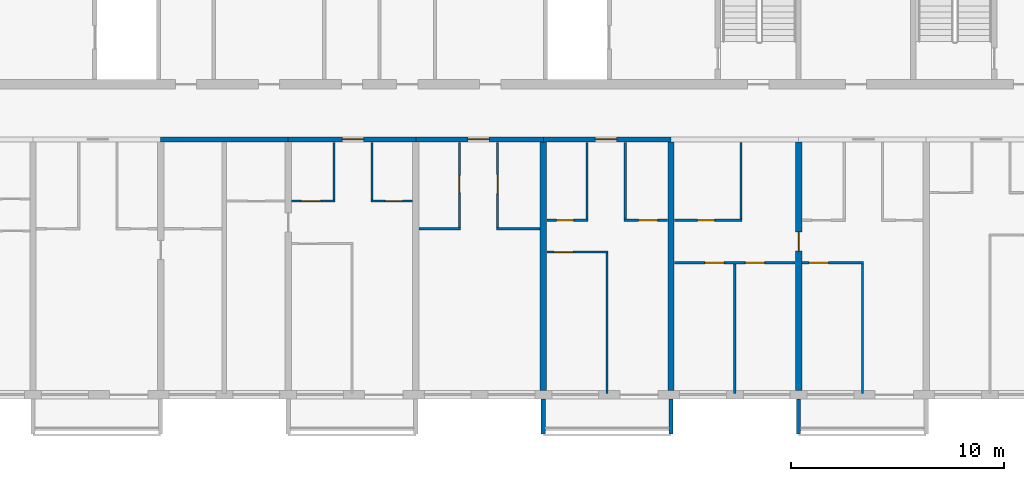
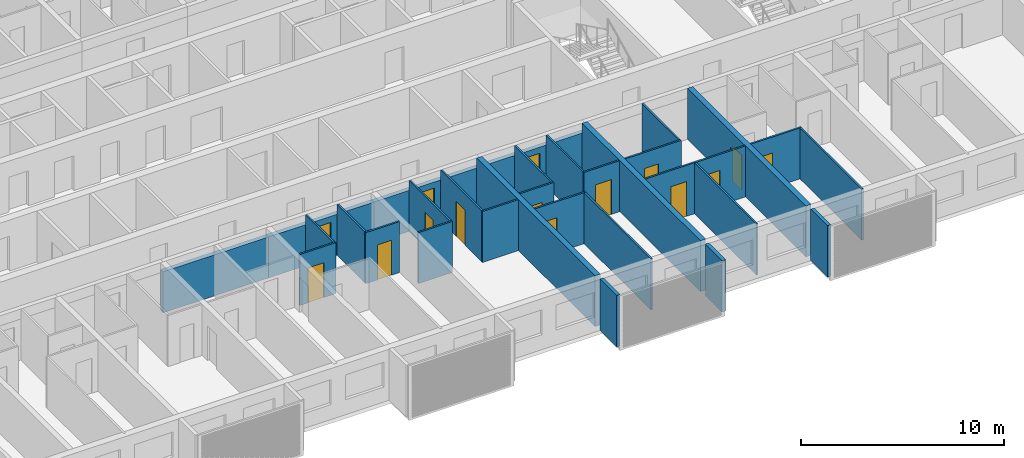
# One storey, part 5 of 32: 30 walls, 15 doors, 15 openings.
"""IFC4 building model written with IfcOpenShell, lengths in metres."""

import ifcopenshell
import ifcopenshell.guid

model = None  # the IFC model being written
_history = None  # IfcOwnerHistory: only IFC2X3 demands one
_inside = {}  # id of a spatial element -> (the spatial element, [elements in it])
_under = {}  # id of a project, library or spatial element -> (it, [spatial elements below it])
_declared = {}  # id of a project -> (the project, [libraries it declares])
_typed = {}  # id of a type object -> (the type object, [elements of that type])
_made_of = {}  # id of a material, layer set ... -> (it, [elements and type objects made of it])


def new_model(schema):
    """Start an empty IFC model of exactly this schema.

    Asked for "IFC4X3", IfcOpenShell would pick the latest addendum, in which some entities
    have other attributes; the version numbers below select the first issue.
    IFC2X3 requires an IfcOwnerHistory on every rooted entity: one is made here for all.
    """
    global model, _history
    if schema == "IFC4X3":
        model = ifcopenshell.file(schema_version=(4, 3, 0, 0))
    else:
        model = ifcopenshell.file(schema=schema)
    _inside.clear()
    _under.clear()
    _declared.clear()
    _typed.clear()
    _made_of.clear()
    _history = None
    if model.schema == "IFC2X3":
        org = make("IfcOrganization", Name="unknown")
        user = make(
            "IfcPersonAndOrganization",
            ThePerson=make("IfcPerson", FamilyName="unknown"),
            TheOrganization=org,
        )
        app = make(
            "IfcApplication",
            ApplicationDeveloper=org,
            Version="unknown",
            ApplicationFullName="unknown",
            ApplicationIdentifier="unknown",
        )
        _history = make(
            "IfcOwnerHistory",
            OwningUser=user,
            OwningApplication=app,
            ChangeAction="ADDED",
            CreationDate=0,
        )
    return model


def make(cls, **values):
    """One entity of the class cls with the attributes given. An attribute that is None is left unset."""
    return model.create_entity(
        cls, **{name: value for name, value in values.items() if value is not None}
    )


def rooted(cls, **values):
    """An entity with a GlobalId (a new one), such as an element, a storey or a relation."""
    return make(cls, GlobalId=ifcopenshell.guid.new(), OwnerHistory=_history, **values)


def si_unit(unit_type, name, prefix=None):
    """IfcSIUnit, for example si_unit("LENGTHUNIT", "METRE", prefix="MILLI")."""
    return make("IfcSIUnit", UnitType=unit_type, Prefix=prefix, Name=name)


def assignment(units):
    """IfcUnitAssignment: the units of a project."""
    return None if units is None else make("IfcUnitAssignment", Units=units)


def point(xyz):
    """IfcCartesianPoint."""
    return None if xyz is None else make("IfcCartesianPoint", Coordinates=xyz)


def direction(xyz):
    """IfcDirection."""
    return None if xyz is None else make("IfcDirection", DirectionRatios=xyz)


def frame(location, z_axis=None, x_axis=None):
    """IfcAxis2Placement3D, a coordinate frame: its origin and axes. An axis left out is left unset."""
    return make(
        "IfcAxis2Placement3D",
        Location=point(location),
        Axis=direction(z_axis),
        RefDirection=direction(x_axis),
    )


def frame_2d(location, x_axis=None):
    """IfcAxis2Placement2D, a coordinate frame in the plane: its origin and x axis."""
    return make(
        "IfcAxis2Placement2D", Location=point(location), RefDirection=direction(x_axis)
    )


def origin():
    """The frame at (0, 0, 0) with its axes left unset."""
    return frame((0.0, 0.0, 0.0))


def place(relative_to, where):
    """IfcLocalPlacement: puts the frame where relative to a parent placement (None: the world)."""
    return make(
        "IfcLocalPlacement", PlacementRelTo=relative_to, RelativePlacement=where
    )


def context(
    kind, dimensions, precision=None, world=None, true_north=None, identifier=None
):
    """IfcGeometricRepresentationContext, for example the 3D "Model" context."""
    return make(
        "IfcGeometricRepresentationContext",
        ContextIdentifier=identifier,
        ContextType=kind,
        CoordinateSpaceDimension=dimensions,
        Precision=precision,
        WorldCoordinateSystem=world,
        TrueNorth=true_north,
    )


def subcontext(parent, identifier, kind, view, scale=None):
    """IfcGeometricRepresentationSubContext, for example "Body" below "Model"."""
    return make(
        "IfcGeometricRepresentationSubContext",
        ContextIdentifier=identifier,
        ContextType=kind,
        ParentContext=parent,
        TargetScale=scale,
        TargetView=view,
    )


def project(units=None, contexts=None):
    """IfcProject with its units and contexts."""
    return rooted(
        "IfcProject",
        Name="project",
        RepresentationContexts=contexts,
        UnitsInContext=assignment(units),
    )


def spatial(cls, under=None, at=None, **own):
    """A site, building, storey or space (cls), placed at a placement, below another one or the project."""
    s = rooted(cls, ObjectPlacement=at, **own)
    if under is not None:
        _under.setdefault(under.id(), (under, []))[1].append(s)
    return s


def polyline(points):
    """IfcPolyline through the points."""
    return make("IfcPolyline", Points=[point(p) for p in points])


def profile(cls, at=None, kind="AREA", **sizes):
    """A parametric profile (cls). Its sizes go by their IFC names, for example OverallWidth=200.0."""
    return make(cls, ProfileType=kind, Position=at, **sizes)


def rectangle(**sizes):
    """IfcRectangleProfileDef."""
    return profile("IfcRectangleProfileDef", **sizes)


def outline(outer, holes=None, kind="AREA"):
    """IfcArbitraryClosedProfileDef: a profile drawn as a closed curve; with holes, ...WithVoids."""
    if holes is None:
        return make("IfcArbitraryClosedProfileDef", ProfileType=kind, OuterCurve=outer)
    return make(
        "IfcArbitraryProfileDefWithVoids",
        ProfileType=kind,
        OuterCurve=outer,
        InnerCurves=holes,
    )


def extrude(swept, where, along, depth):
    """IfcExtrudedAreaSolid: the profile swept, set in the frame where, extruded along a direction by depth."""
    return make(
        "IfcExtrudedAreaSolid",
        SweptArea=swept,
        Position=where,
        ExtrudedDirection=direction(along),
        Depth=depth,
    )


def shape(context_of_items, identifier, shape_type, items):
    """IfcShapeRepresentation: the items that make up one representation, for example the "Body"."""
    return make(
        "IfcShapeRepresentation",
        ContextOfItems=context_of_items,
        RepresentationIdentifier=identifier,
        RepresentationType=shape_type,
        Items=items,
    )


def source(mapping_origin, context_of_items, identifier, shape_type, items):
    """IfcRepresentationMap: a shape defined once, which mapped items show again and again."""
    return make(
        "IfcRepresentationMap",
        MappingOrigin=mapping_origin,
        MappedRepresentation=shape(context_of_items, identifier, shape_type, items),
    )


def transform(
    local_origin,
    x_axis=None,
    y_axis=None,
    z_axis=None,
    scale=None,
    scale2=None,
    scale3=None,
    uniform=True,
):
    """IfcCartesianTransformationOperator3D, or its non-uniform kind. x_axis, y_axis, z_axis: its Axis1, 2, 3."""
    if uniform:
        return make(
            "IfcCartesianTransformationOperator3D",
            Axis1=direction(x_axis),
            Axis2=direction(y_axis),
            LocalOrigin=point(local_origin),
            Scale=scale,
            Axis3=direction(z_axis),
        )
    return make(
        "IfcCartesianTransformationOperator3DnonUniform",
        Axis1=direction(x_axis),
        Axis2=direction(y_axis),
        LocalOrigin=point(local_origin),
        Scale=scale,
        Axis3=direction(z_axis),
        Scale2=scale2,
        Scale3=scale3,
    )


def mapped(mapping_source, mapping_target):
    """IfcMappedItem: shows the shape of a source again, moved by a transform."""
    return make(
        "IfcMappedItem", MappingSource=mapping_source, MappingTarget=mapping_target
    )


def material(Name=None, Category=None):
    """IfcMaterial."""
    return make("IfcMaterial", Name=Name, Category=Category)


def layer(
    of_material, thickness, ventilated=None, Name=None, Category=None, Priority=None
):
    """IfcMaterialLayer: one layer of a wall or slab, of a material (None: an air gap)."""
    return make(
        "IfcMaterialLayer",
        Material=of_material,
        LayerThickness=thickness,
        IsVentilated=ventilated,
        Name=Name,
        Category=Category,
        Priority=Priority,
    )


def layer_set(layers, Name=None):
    """IfcMaterialLayerSet."""
    return make("IfcMaterialLayerSet", MaterialLayers=layers, LayerSetName=Name)


def made_of(thing, what):
    """Note that an element or type object is made of a material, layer set ...; save() writes the relation."""
    if what is not None:
        _made_of.setdefault(what.id(), (what, []))[1].append(thing)
    return thing


def type_object(cls, material=None, **own):
    """A type object (cls), such as IfcWallType, which elements share."""
    return made_of(rooted(cls, **own), material)


def element(
    cls,
    number,
    at=None,
    inside=None,
    cuts=None,
    type_object=None,
    material=None,
    context=None,
    identifier="Body",
    shape_type=None,
    held_by="IfcProductDefinitionShape",
    body=None,
    shapes=None,
    **own,
):
    """One element of the class cls, such as IfcWall. Its Tag is "e" and its number.

    at: its placement. inside: the storey or other place that contains it. cuts: it is an
    opening in that element (IfcRelVoidsElement). A single representation is given by context,
    identifier, shape_type and body (its items); several are given by shapes. held_by: the class
    of the entity that holds the representations. save() writes the other relations.
    """
    e = rooted(cls, Tag="e%d" % number, ObjectPlacement=at, **own)
    if body is not None:
        shapes = [shape(context, identifier, shape_type, body)]
    if shapes is not None:
        e.Representation = make(held_by, Representations=shapes)
    if inside is not None:
        _inside.setdefault(inside.id(), (inside, []))[1].append(e)
    if cuts is not None:
        rooted(
            "IfcRelVoidsElement", RelatingBuildingElement=cuts, RelatedOpeningElement=e
        )
    if type_object is not None:
        _typed.setdefault(type_object.id(), (type_object, []))[1].append(e)
    return made_of(e, material)


def fill(opening, filler):
    """IfcRelFillsElement: the door or window that sits in an opening."""
    return rooted(
        "IfcRelFillsElement",
        RelatingOpeningElement=opening,
        RelatedBuildingElement=filler,
    )


def aggregate(whole, parts):
    """IfcRelAggregates: a whole, such as a stair, and the parts it consists of."""
    return rooted("IfcRelAggregates", RelatingObject=whole, RelatedObjects=parts)


def save(model, path):
    """Write the relations noted so far, then the file.

    IfcRelAggregates (storeys below a building ...), IfcRelContainedInSpatialStructure (elements
    in a storey), IfcRelDefinesByType, IfcRelAssociatesMaterial and IfcRelDeclares: one each for
    every whole, place, type object, material and project.
    """
    for whole, parts in _under.values():
        aggregate(whole, parts)
    for where, things in _inside.values():
        rooted(
            "IfcRelContainedInSpatialStructure",
            RelatedElements=things,
            RelatingStructure=where,
        )
    for kind, things in _typed.values():
        rooted("IfcRelDefinesByType", RelatedObjects=things, RelatingType=kind)
    for what, things in _made_of.values():
        rooted("IfcRelAssociatesMaterial", RelatedObjects=things, RelatingMaterial=what)
    for by, libraries in _declared.values():
        rooted("IfcRelDeclares", RelatingContext=by, RelatedDefinitions=libraries)
    model.write(path)


model = new_model("IFC4")

# Units and contexts
model_context = context("Model", 3, precision=1e-05, world=origin(), true_north=direction((0.0, 1.0)))
body_context = subcontext(model_context, "Body", "Model", "MODEL_VIEW")
ifc_project = project(units=[si_unit("LENGTHUNIT", "METRE"), si_unit("AREAUNIT", "SQUARE_METRE"), si_unit("VOLUMEUNIT", "CUBIC_METRE"), si_unit("PLANEANGLEUNIT", "RADIAN"), si_unit("MASSUNIT", "GRAM", prefix="KILO")], contexts=[model_context])

# Site, building, storey
site_placement = place(None, origin())
site = spatial("IfcSite", under=ifc_project, at=site_placement, CompositionType="ELEMENT")
building_placement = place(site_placement, origin())
building = spatial("IfcBuilding", under=site, at=building_placement, Name="Poui Terraces", CompositionType="ELEMENT")
storey_placement = place(building_placement, frame((0.0, 0.0, 125.699951171875)))
storey = spatial("IfcBuildingStorey", under=building, at=storey_placement, Name="L34", CompositionType="ELEMENT", Elevation=125.699951171875)

# Wall
ifc_material_1 = material(Name="Concrete 65 MPa", Category="concrete")
ifc_layer_1 = layer(ifc_material_1, 0.25)
ifc_layer_set_1 = layer_set([ifc_layer_1], Name="Concrete 65 MPa")
wall_type_1 = type_object("IfcWallType", Name="CORRIDOR WALL 250 65MPa", PredefinedType="SHEAR", material=ifc_layer_set_1)
wall_1_placement = place(storey_placement, frame((42.0, 12.0, 0.0), z_axis=(0.0, 0.0, 1.0), x_axis=(1.0, 0.0, 0.0)))
element("IfcWall", 1, at=wall_1_placement, inside=storey, type_object=wall_type_1, Name="CORRIDOR WALL LINE B BAY 6", PredefinedType="SHEAR", context=body_context, shape_type="SweptSolid", body=[
    extrude(rectangle(XDim=6.0, YDim=0.25, at=frame_2d((3.0, 0.0))), origin(), (0.0, 0.0, 1.0), 2.469970703125),
])

# Wall, opening, door
wall_2_placement = place(storey_placement, frame((48.0, 12.0, 0.0), z_axis=(0.0, 0.0, 1.0), x_axis=(1.0, 0.0, 0.0)))
wall_2 = element("IfcWall", 2, at=wall_2_placement, inside=storey, type_object=wall_type_1, Name="CORRIDOR WALL LINE B BAY 7", PredefinedType="SHEAR", context=body_context, shape_type="SweptSolid", body=[
    extrude(rectangle(XDim=6.0, YDim=0.25, at=frame_2d((3.0, 0.0))), origin(), (0.0, 0.0, 1.0), 2.469970703125),
])
opening_1_placement = place(wall_2_placement, frame((2.550048828125, 0.0, 0.0)))
opening_1 = element("IfcOpeningElement", 3, at=opening_1_placement, cuts=wall_2, Name="Opening FD30S", PredefinedType="OPENING", context=body_context, shape_type="SweptSolid", body=[
    extrude(rectangle(XDim=1.0, YDim=2.10009765625, at=frame_2d((0.5, 1.050048828125))), frame((0.0, 0.135009765625, 0.0), z_axis=(0.0, -1.0, 0.0), x_axis=(1.0, 0.0, 0.0)), (0.0, 0.0, 1.0), 0.27001953125),
])
ifc_material_2 = material(Name="Steel fire door", Category="steel")
door_type_1 = type_object("IfcDoorType", Name="FLAT ENTRANCE DOOR 1000 X 2100", OperationType="NOTDEFINED", PredefinedType="DOOR", material=ifc_material_2)
door_1_placement = place(opening_1_placement, frame((1.0, 0.0, 0.0), z_axis=(0.0, 0.0, 1.0), x_axis=(-1.0, 0.0, 0.0)))
door_1 = element("IfcDoor", 4, at=door_1_placement, inside=storey, type_object=door_type_1, Name="FLAT ENTRANCE DOOR 099", OperationType="SINGLE_SWING_LEFT", OverallHeight=2.10009765625, OverallWidth=1.0, PredefinedType="DOOR", context=body_context, shape_type="SweptSolid", body=[
    extrude(rectangle(XDim=1.0, YDim=2.10009765625, at=frame_2d((0.5, 1.050048828125))), frame((0.0, 0.02490234375, 0.0), z_axis=(0.0, -1.0, 0.0), x_axis=(1.0, 0.0, 0.0)), (0.0, 0.0, 1.0), 0.050048828125),
])
fill(opening_1, door_1)

wall_3_placement = place(storey_placement, frame((54.0, 12.0, 0.0), z_axis=(0.0, 0.0, 1.0), x_axis=(1.0, 0.0, 0.0)))
wall_3 = element("IfcWall", 5, at=wall_3_placement, inside=storey, type_object=wall_type_1, Name="CORRIDOR WALL LINE B BAY 8", PredefinedType="SHEAR", context=body_context, shape_type="SweptSolid", body=[
    extrude(rectangle(XDim=6.0, YDim=0.25, at=frame_2d((3.0, 0.0))), origin(), (0.0, 0.0, 1.0), 2.469970703125),
])
opening_2_placement = place(wall_3_placement, frame((2.449951171875, 0.0, 0.0)))
opening_2 = element("IfcOpeningElement", 6, at=opening_2_placement, cuts=wall_3, Name="Opening FD30S", PredefinedType="OPENING", context=body_context, shape_type="SweptSolid", body=[
    extrude(rectangle(XDim=1.0, YDim=2.10009765625, at=frame_2d((0.5, 1.050048828125))), frame((0.0, 0.135009765625, 0.0), z_axis=(0.0, -1.0, 0.0), x_axis=(1.0, 0.0, 0.0)), (0.0, 0.0, 1.0), 0.27001953125),
])
door_2_placement = place(opening_2_placement, frame((1.0, 0.0, 0.0), z_axis=(0.0, 0.0, 1.0), x_axis=(-1.0, 0.0, 0.0)))
door_2 = element("IfcDoor", 7, at=door_2_placement, inside=storey, type_object=door_type_1, Name="FLAT ENTRANCE DOOR 102", OperationType="SINGLE_SWING_RIGHT", OverallHeight=2.10009765625, OverallWidth=1.0, PredefinedType="DOOR", context=body_context, shape_type="SweptSolid", body=[
    extrude(rectangle(XDim=1.0, YDim=2.10009765625, at=frame_2d((0.5, 1.050048828125))), frame((0.0, 0.02490234375, 0.0), z_axis=(0.0, -1.0, 0.0), x_axis=(1.0, 0.0, 0.0)), (0.0, 0.0, 1.0), 0.050048828125),
])
fill(opening_2, door_2)

wall_4_placement = place(storey_placement, frame((60.0, 12.0, 0.0), z_axis=(0.0, 0.0, 1.0), x_axis=(1.0, 0.0, 0.0)))
wall_4 = element("IfcWall", 8, at=wall_4_placement, inside=storey, type_object=wall_type_1, Name="CORRIDOR WALL LINE B BAY 9", PredefinedType="SHEAR", context=body_context, shape_type="SweptSolid", body=[
    extrude(rectangle(XDim=6.0, YDim=0.25, at=frame_2d((3.0, 0.0))), origin(), (0.0, 0.0, 1.0), 2.469970703125),
])
opening_3_placement = place(wall_4_placement, frame((2.449951171875, 0.0, 0.0)))
opening_3 = element("IfcOpeningElement", 9, at=opening_3_placement, cuts=wall_4, Name="Opening FD30S", PredefinedType="OPENING", context=body_context, shape_type="SweptSolid", body=[
    extrude(rectangle(XDim=1.0, YDim=2.10009765625, at=frame_2d((0.5, 1.050048828125))), frame((0.0, 0.135009765625, 0.0), z_axis=(0.0, -1.0, 0.0), x_axis=(1.0, 0.0, 0.0)), (0.0, 0.0, 1.0), 0.27001953125),
])
door_3_placement = place(opening_3_placement, frame((1.0, 0.0, 0.0), z_axis=(0.0, 0.0, 1.0), x_axis=(-1.0, 0.0, 0.0)))
door_3 = element("IfcDoor", 10, at=door_3_placement, inside=storey, type_object=door_type_1, Name="FLAT ENTRANCE DOOR 106", OperationType="SINGLE_SWING_RIGHT", OverallHeight=2.10009765625, OverallWidth=1.0, PredefinedType="DOOR", context=body_context, shape_type="SweptSolid", body=[
    extrude(rectangle(XDim=1.0, YDim=2.10009765625, at=frame_2d((0.5, 1.050048828125))), frame((0.0, 0.02490234375, 0.0), z_axis=(0.0, -1.0, 0.0), x_axis=(1.0, 0.0, 0.0)), (0.0, 0.0, 1.0), 0.050048828125),
])
fill(opening_3, door_3)

# Walls
ifc_layer_2 = layer(ifc_material_1, 0.300048828125)
ifc_layer_set_2 = layer_set([ifc_layer_2], Name="Concrete 65 MPa")
wall_type_2 = type_object("IfcWallType", Name="CROSS WALL 300 65MPa", PredefinedType="SHEAR", material=ifc_layer_set_2)
for number, where, z_axis, x_axis, name in (
    (11, (60.0, 0.199951171875, 0.0), (0.0, 0.0, 1.0), (0.0, 1.0, 0.0), "CROSS WALL LINE 11 SOUTH"),
    (12, (66.0, 0.199951171875, 0.0), (0.0, 0.0, 1.0), (0.0, 1.0, 0.0), "CROSS WALL LINE 12 SOUTH"),
):
    element("IfcWall", number, at=place(storey_placement, frame(where, z_axis=z_axis, x_axis=x_axis)), inside=storey, type_object=wall_type_2, Name=name, PredefinedType="SHEAR", context=body_context, shape_type="SweptSolid", body=[
        extrude(rectangle(XDim=11.675048828125, YDim=0.300048828125, at=frame_2d((5.83740234375, 0.0))), origin(), (0.0, 0.0, 1.0), 3.070068359375),
    ])

# Wall, opening, door
wall_5_placement = place(storey_placement, frame((72.0, 0.199951171875, 0.0), z_axis=(0.0, 0.0, 1.0), x_axis=(0.0, 1.0, 0.0)))
wall_5 = element("IfcWall", 13, at=wall_5_placement, inside=storey, type_object=wall_type_2, Name="CROSS WALL LINE 13 SOUTH", PredefinedType="SHEAR", context=body_context, shape_type="SweptSolid", body=[
    extrude(rectangle(XDim=11.675048828125, YDim=0.300048828125, at=frame_2d((5.83740234375, 0.0))), origin(), (0.0, 0.0, 1.0), 3.070068359375),
])
opening_4_placement = place(wall_5_placement, frame((6.550048828125, 0.0, 0.0)))
opening_4 = element("IfcOpeningElement", 14, at=opening_4_placement, cuts=wall_5, Name="Opening D90", PredefinedType="OPENING", context=body_context, shape_type="SweptSolid", body=[
    extrude(rectangle(XDim=0.89990234375, YDim=2.10009765625, at=frame_2d((0.449951171875, 1.050048828125))), frame((0.0, 0.16015625, 0.0), z_axis=(0.0, -1.0, 0.0), x_axis=(1.0, 0.0, 0.0)), (0.0, 0.0, 1.0), 0.320068359375),
])
ifc_material_3 = material(Name="Solid core timber door", Category="wood")
door_type_2 = type_object("IfcDoorType", Name="INTERNAL DOOR 900 X 2100", OperationType="NOTDEFINED", PredefinedType="DOOR", material=ifc_material_3)
door_4_placement = place(opening_4_placement, frame((0.89990234375, 0.0, 0.0), z_axis=(0.0, 0.0, 1.0), x_axis=(-1.0, 0.0, 0.0)))
door_4 = element("IfcDoor", 15, at=door_4_placement, inside=storey, type_object=door_type_2, Name="INTERNAL DOOR 111", OperationType="SINGLE_SWING_LEFT", OverallHeight=2.10009765625, OverallWidth=0.89990234375, PredefinedType="DOOR", context=body_context, shape_type="SweptSolid", body=[
    extrude(rectangle(XDim=0.89990234375, YDim=2.10009765625, at=frame_2d((0.449951171875, 1.050048828125))), frame((0.0, 0.02490234375, 0.0), z_axis=(0.0, -1.0, 0.0), x_axis=(1.0, 0.0, 0.0)), (0.0, 0.0, 1.0), 0.050048828125),
])
fill(opening_4, door_4)

# Wall, openings, doors
ifc_material_4 = material(Name="Plasterboard partition")
ifc_layer_3 = layer(ifc_material_4, 0.10009765625)
ifc_layer_set_3 = layer_set([ifc_layer_3], Name="Plasterboard partition")
wall_type_3 = type_object("IfcWallType", Name="FLAT PARTITION 100", PredefinedType="PARTITIONING", material=ifc_layer_set_3)
wall_6_placement = place(storey_placement, frame((66.159912109375, 6.199951171875, 0.0), z_axis=(0.0, 0.0, 1.0), x_axis=(1.0, 0.0, 0.0)))
wall_6 = element("IfcWall", 16, at=wall_6_placement, inside=storey, type_object=wall_type_3, Name="FLAT PARTITION 100", PredefinedType="PARTITIONING", context=body_context, shape_type="SweptSolid", body=[
    extrude(rectangle(XDim=5.68017578125, YDim=0.10009765625, at=frame_2d((2.840087890625, 0.0))), origin(), (0.0, 0.0, 1.0), 3.070068359375),
])
opening_5_placement = place(wall_6_placement, frame((1.43994140625, 0.0, 0.0)))
opening_5 = element("IfcOpeningElement", 17, at=opening_5_placement, cuts=wall_6, Name="Opening D90", PredefinedType="OPENING", context=body_context, shape_type="SweptSolid", body=[
    extrude(rectangle(XDim=0.89990234375, YDim=2.10009765625, at=frame_2d((0.449951171875, 1.050048828125))), frame((0.0, 0.06005859375, 0.0), z_axis=(0.0, -1.0, 0.0), x_axis=(1.0, 0.0, 0.0)), (0.0, 0.0, 1.0), 0.1201171875),
])
opening_6_placement = place(wall_6_placement, frame((3.340087890625, 0.0, 0.0)))
opening_6 = element("IfcOpeningElement", 18, at=opening_6_placement, cuts=wall_6, Name="Opening D90", PredefinedType="OPENING", context=body_context, shape_type="SweptSolid", body=[
    extrude(rectangle(XDim=0.89990234375, YDim=2.10009765625, at=frame_2d((0.449951171875, 1.050048828125))), frame((0.0, 0.06005859375, 0.0), z_axis=(0.0, -1.0, 0.0), x_axis=(1.0, 0.0, 0.0)), (0.0, 0.0, 1.0), 0.1201171875),
])
door_5_placement = place(opening_5_placement, frame((0.89990234375, 0.0, 0.0), z_axis=(0.0, 0.0, 1.0), x_axis=(-1.0, 0.0, 0.0)))
door_5 = element("IfcDoor", 19, at=door_5_placement, inside=storey, type_object=door_type_2, Name="INTERNAL DOOR 109", OperationType="SINGLE_SWING_LEFT", OverallHeight=2.10009765625, OverallWidth=0.89990234375, PredefinedType="DOOR", context=body_context, shape_type="SweptSolid", body=[
    extrude(rectangle(XDim=0.89990234375, YDim=2.10009765625, at=frame_2d((0.449951171875, 1.050048828125))), frame((0.0, 0.02490234375, 0.0), z_axis=(0.0, -1.0, 0.0), x_axis=(1.0, 0.0, 0.0)), (0.0, 0.0, 1.0), 0.050048828125),
])
fill(opening_5, door_5)
door_6_placement = place(opening_6_placement, frame((0.89990234375, 0.0, 0.0), z_axis=(0.0, 0.0, 1.0), x_axis=(-1.0, 0.0, 0.0)))
door_6 = element("IfcDoor", 20, at=door_6_placement, inside=storey, type_object=door_type_2, Name="INTERNAL DOOR 110", OperationType="SINGLE_SWING_RIGHT", OverallHeight=2.10009765625, OverallWidth=0.89990234375, PredefinedType="DOOR", context=body_context, shape_type="SweptSolid", body=[
    extrude(rectangle(XDim=0.89990234375, YDim=2.10009765625, at=frame_2d((0.449951171875, 1.050048828125))), frame((0.0, 0.02490234375, 0.0), z_axis=(0.0, -1.0, 0.0), x_axis=(1.0, 0.0, 0.0)), (0.0, 0.0, 1.0), 0.050048828125),
])
fill(opening_6, door_6)

# Wall, opening, door
wall_7_placement = place(storey_placement, frame((72.159912109375, 6.199951171875, 0.0), z_axis=(0.0, 0.0, 1.0), x_axis=(1.0, 0.0, 0.0)))
wall_7 = element("IfcWall", 21, at=wall_7_placement, inside=storey, type_object=wall_type_3, Name="FLAT PARTITION 100", PredefinedType="PARTITIONING", context=body_context, shape_type="SweptSolid", body=[
    extrude(rectangle(XDim=2.89013671875, YDim=0.10009765625, at=frame_2d((1.445068359375, 0.0))), origin(), (0.0, 0.0, 1.0), 3.070068359375),
])
opening_7_placement = place(wall_7_placement, frame((0.340087890625, 0.0, 0.0)))
opening_7 = element("IfcOpeningElement", 22, at=opening_7_placement, cuts=wall_7, Name="Opening D90", PredefinedType="OPENING", context=body_context, shape_type="SweptSolid", body=[
    extrude(rectangle(XDim=0.89990234375, YDim=2.10009765625, at=frame_2d((0.449951171875, 1.050048828125))), frame((0.0, 0.06005859375, 0.0), z_axis=(0.0, -1.0, 0.0), x_axis=(1.0, 0.0, 0.0)), (0.0, 0.0, 1.0), 0.1201171875),
])
door_7_placement = place(opening_7_placement, origin())
door_7 = element("IfcDoor", 23, at=door_7_placement, inside=storey, type_object=door_type_2, Name="INTERNAL DOOR 112", OperationType="SINGLE_SWING_RIGHT", OverallHeight=2.10009765625, OverallWidth=0.89990234375, PredefinedType="DOOR", context=body_context, shape_type="SweptSolid", body=[
    extrude(rectangle(XDim=0.89990234375, YDim=2.10009765625, at=frame_2d((0.449951171875, 1.050048828125))), frame((0.0, 0.02490234375, 0.0), z_axis=(0.0, -1.0, 0.0), x_axis=(1.0, 0.0, 0.0)), (0.0, 0.0, 1.0), 0.050048828125),
])
fill(opening_7, door_7)

wall_8_placement = place(storey_placement, frame((60.159912109375, 6.699951171875, 0.0), z_axis=(0.0, 0.0, 1.0), x_axis=(1.0, 0.0, 0.0)))
wall_8 = element("IfcWall", 24, at=wall_8_placement, inside=storey, type_object=wall_type_3, Name="FLAT PARTITION 100", PredefinedType="PARTITIONING", context=body_context, shape_type="SweptSolid", body=[
    extrude(rectangle(XDim=2.89013671875, YDim=0.10009765625, at=frame_2d((1.445068359375, 0.0))), origin(), (0.0, 0.0, 1.0), 3.070068359375),
])
opening_8_placement = place(wall_8_placement, frame((0.340087890625, 0.0, 0.0)))
opening_8 = element("IfcOpeningElement", 25, at=opening_8_placement, cuts=wall_8, Name="Opening D90", PredefinedType="OPENING", context=body_context, shape_type="SweptSolid", body=[
    extrude(rectangle(XDim=0.89990234375, YDim=2.10009765625, at=frame_2d((0.449951171875, 1.050048828125))), frame((0.0, 0.06005859375, 0.0), z_axis=(0.0, -1.0, 0.0), x_axis=(1.0, 0.0, 0.0)), (0.0, 0.0, 1.0), 0.1201171875),
])
door_8_placement = place(opening_8_placement, origin())
door_8 = element("IfcDoor", 26, at=door_8_placement, inside=storey, type_object=door_type_2, Name="INTERNAL DOOR 104", OperationType="SINGLE_SWING_RIGHT", OverallHeight=2.10009765625, OverallWidth=0.89990234375, PredefinedType="DOOR", context=body_context, shape_type="SweptSolid", body=[
    extrude(rectangle(XDim=0.89990234375, YDim=2.10009765625, at=frame_2d((0.449951171875, 1.050048828125))), frame((0.0, 0.02490234375, 0.0), z_axis=(0.0, -1.0, 0.0), x_axis=(1.0, 0.0, 0.0)), (0.0, 0.0, 1.0), 0.050048828125),
])
fill(opening_8, door_8)

# Walls
wall_9_placement = place(storey_placement, frame((54.159912109375, 7.800048828125, 0.0), z_axis=(0.0, 0.0, 1.0), x_axis=(1.0, 0.0, 0.0)))
element("IfcWall", 27, at=wall_9_placement, inside=storey, type_object=wall_type_3, Name="FLAT PARTITION 100", PredefinedType="PARTITIONING", context=body_context, shape_type="SweptSolid", body=[
    extrude(rectangle(XDim=1.940185546875, YDim=0.10009765625, at=frame_2d((0.97021484375, 0.0))), origin(), (0.0, 0.0, 1.0), 3.070068359375),
])
wall_10_placement = place(storey_placement, frame((57.800048828125, 7.800048828125, 0.0), z_axis=(0.0, 0.0, 1.0), x_axis=(1.0, 0.0, 0.0)))
element("IfcWall", 28, at=wall_10_placement, inside=storey, type_object=wall_type_3, Name="FLAT PARTITION 100", PredefinedType="PARTITIONING", context=body_context, shape_type="SweptSolid", body=[
    extrude(rectangle(XDim=2.0400390625, YDim=0.10009765625, at=frame_2d((1.02001953125, 0.0))), origin(), (0.0, 0.0, 1.0), 3.070068359375),
])

# Wall, opening, door
wall_11_placement = place(storey_placement, frame((60.159912109375, 8.199951171875, 0.0), z_axis=(0.0, 0.0, 1.0), x_axis=(1.0, 0.0, 0.0)))
wall_11 = element("IfcWall", 29, at=wall_11_placement, inside=storey, type_object=wall_type_3, Name="FLAT PARTITION 100", PredefinedType="PARTITIONING", context=body_context, shape_type="SweptSolid", body=[
    extrude(rectangle(XDim=1.940185546875, YDim=0.10009765625, at=frame_2d((0.97021484375, 0.0))), origin(), (0.0, 0.0, 1.0), 3.070068359375),
])
opening_9_placement = place(wall_11_placement, frame((0.465087890625, 0.0, 0.0)))
opening_9 = element("IfcOpeningElement", 30, at=opening_9_placement, cuts=wall_11, Name="Opening D80", PredefinedType="OPENING", context=body_context, shape_type="SweptSolid", body=[
    extrude(rectangle(XDim=0.800048828125, YDim=2.10009765625, at=frame_2d((0.39990234375, 1.050048828125))), frame((0.0, 0.06005859375, 0.0), z_axis=(0.0, -1.0, 0.0), x_axis=(1.0, 0.0, 0.0)), (0.0, 0.0, 1.0), 0.1201171875),
])
door_type_3 = type_object("IfcDoorType", Name="BATHROOM, LAUNDRY AND STORE DOOR 800 X 2100", OperationType="NOTDEFINED", PredefinedType="DOOR", material=ifc_material_3)
door_9_placement = place(opening_9_placement, origin())
door_9 = element("IfcDoor", 31, at=door_9_placement, inside=storey, type_object=door_type_3, Name="BATHROOM, LAUNDRY AND STORE DOOR 105", OperationType="SINGLE_SWING_LEFT", OverallHeight=2.10009765625, OverallWidth=0.800048828125, PredefinedType="DOOR", context=body_context, shape_type="SweptSolid", body=[
    extrude(rectangle(XDim=0.800048828125, YDim=2.10009765625, at=frame_2d((0.39990234375, 1.050048828125))), frame((0.0, 0.02490234375, 0.0), z_axis=(0.0, -1.0, 0.0), x_axis=(1.0, 0.0, 0.0)), (0.0, 0.0, 1.0), 0.050048828125),
])
fill(opening_9, door_9)

wall_12_placement = place(storey_placement, frame((63.800048828125, 8.199951171875, 0.0), z_axis=(0.0, 0.0, 1.0), x_axis=(1.0, 0.0, 0.0)))
wall_12 = element("IfcWall", 32, at=wall_12_placement, inside=storey, type_object=wall_type_3, Name="FLAT PARTITION 100", PredefinedType="PARTITIONING", context=body_context, shape_type="SweptSolid", body=[
    extrude(rectangle(XDim=2.0400390625, YDim=0.10009765625, at=frame_2d((1.02001953125, 0.0))), origin(), (0.0, 0.0, 1.0), 3.070068359375),
])
opening_10_placement = place(wall_12_placement, frame((0.675048828125, 0.0, 0.0)))
opening_10 = element("IfcOpeningElement", 33, at=opening_10_placement, cuts=wall_12, Name="Opening D90", PredefinedType="OPENING", context=body_context, shape_type="SweptSolid", body=[
    extrude(rectangle(XDim=0.89990234375, YDim=2.10009765625, at=frame_2d((0.449951171875, 1.050048828125))), frame((0.0, 0.06005859375, 0.0), z_axis=(0.0, -1.0, 0.0), x_axis=(1.0, 0.0, 0.0)), (0.0, 0.0, 1.0), 0.1201171875),
])
door_10_placement = place(opening_10_placement, origin())
door_10 = element("IfcDoor", 34, at=door_10_placement, inside=storey, type_object=door_type_2, Name="INTERNAL DOOR 107", OperationType="SINGLE_SWING_RIGHT", OverallHeight=2.10009765625, OverallWidth=0.89990234375, PredefinedType="DOOR", context=body_context, shape_type="SweptSolid", body=[
    extrude(rectangle(XDim=0.89990234375, YDim=2.10009765625, at=frame_2d((0.449951171875, 1.050048828125))), frame((0.0, 0.02490234375, 0.0), z_axis=(0.0, -1.0, 0.0), x_axis=(1.0, 0.0, 0.0)), (0.0, 0.0, 1.0), 0.050048828125),
])
fill(opening_10, door_10)

wall_13_placement = place(storey_placement, frame((66.159912109375, 8.199951171875, 0.0), z_axis=(0.0, 0.0, 1.0), x_axis=(1.0, 0.0, 0.0)))
wall_13 = element("IfcWall", 35, at=wall_13_placement, inside=storey, type_object=wall_type_3, Name="FLAT PARTITION 100", PredefinedType="PARTITIONING", context=body_context, shape_type="SweptSolid", body=[
    extrude(rectangle(XDim=3.190185546875, YDim=0.10009765625, at=frame_2d((1.59521484375, 0.0))), origin(), (0.0, 0.0, 1.0), 3.070068359375),
])
opening_11_placement = place(wall_13_placement, frame((1.090087890625, 0.0, 0.0)))
opening_11 = element("IfcOpeningElement", 36, at=opening_11_placement, cuts=wall_13, Name="Opening D80", PredefinedType="OPENING", context=body_context, shape_type="SweptSolid", body=[
    extrude(rectangle(XDim=0.800048828125, YDim=2.10009765625, at=frame_2d((0.39990234375, 1.050048828125))), frame((0.0, 0.06005859375, 0.0), z_axis=(0.0, -1.0, 0.0), x_axis=(1.0, 0.0, 0.0)), (0.0, 0.0, 1.0), 0.1201171875),
])
door_11_placement = place(opening_11_placement, frame((0.800048828125, 0.0, 0.0), z_axis=(0.0, 0.0, 1.0), x_axis=(-1.0, 0.0, 0.0)))
door_11 = element("IfcDoor", 37, at=door_11_placement, inside=storey, type_object=door_type_3, Name="BATHROOM, LAUNDRY AND STORE DOOR 108", OperationType="SINGLE_SWING_RIGHT", OverallHeight=2.10009765625, OverallWidth=0.800048828125, PredefinedType="DOOR", context=body_context, shape_type="SweptSolid", body=[
    extrude(rectangle(XDim=0.800048828125, YDim=2.10009765625, at=frame_2d((0.39990234375, 1.050048828125))), frame((0.0, 0.02490234375, 0.0), z_axis=(0.0, -1.0, 0.0), x_axis=(1.0, 0.0, 0.0)), (0.0, 0.0, 1.0), 0.050048828125),
])
fill(opening_11, door_11)

wall_14_placement = place(storey_placement, frame((48.159912109375, 9.10009765625, 0.0), z_axis=(0.0, 0.0, 1.0), x_axis=(1.0, 0.0, 0.0)))
wall_14 = element("IfcWall", 38, at=wall_14_placement, inside=storey, type_object=wall_type_3, Name="FLAT PARTITION 100", PredefinedType="PARTITIONING", context=body_context, shape_type="SweptSolid", body=[
    extrude(rectangle(XDim=2.0400390625, YDim=0.10009765625, at=frame_2d((1.02001953125, 0.0))), origin(), (0.0, 0.0, 1.0), 3.070068359375),
])
opening_12_placement = place(wall_14_placement, frame((0.465087890625, 0.0, 0.0)))
opening_12 = element("IfcOpeningElement", 39, at=opening_12_placement, cuts=wall_14, Name="Opening D90", PredefinedType="OPENING", context=body_context, shape_type="SweptSolid", body=[
    extrude(rectangle(XDim=0.89990234375, YDim=2.10009765625, at=frame_2d((0.449951171875, 1.050048828125))), frame((0.0, 0.06005859375, 0.0), z_axis=(0.0, -1.0, 0.0), x_axis=(1.0, 0.0, 0.0)), (0.0, 0.0, 1.0), 0.1201171875),
])
door_12_placement = place(opening_12_placement, origin())
door_12 = element("IfcDoor", 40, at=door_12_placement, inside=storey, type_object=door_type_2, Name="INTERNAL DOOR 098", OperationType="SINGLE_SWING_LEFT", OverallHeight=2.10009765625, OverallWidth=0.89990234375, PredefinedType="DOOR", context=body_context, shape_type="SweptSolid", body=[
    extrude(rectangle(XDim=0.89990234375, YDim=2.10009765625, at=frame_2d((0.449951171875, 1.050048828125))), frame((0.0, 0.02490234375, 0.0), z_axis=(0.0, -1.0, 0.0), x_axis=(1.0, 0.0, 0.0)), (0.0, 0.0, 1.0), 0.050048828125),
])
fill(opening_12, door_12)

wall_15_placement = place(storey_placement, frame((51.89990234375, 9.10009765625, 0.0), z_axis=(0.0, 0.0, 1.0), x_axis=(1.0, 0.0, 0.0)))
wall_15 = element("IfcWall", 41, at=wall_15_placement, inside=storey, type_object=wall_type_3, Name="FLAT PARTITION 100", PredefinedType="PARTITIONING", context=body_context, shape_type="SweptSolid", body=[
    extrude(rectangle(XDim=1.940185546875, YDim=0.10009765625, at=frame_2d((0.97021484375, 0.0))), origin(), (0.0, 0.0, 1.0), 3.070068359375),
])
opening_13_placement = place(wall_15_placement, frame((0.675048828125, 0.0, 0.0)))
opening_13 = element("IfcOpeningElement", 42, at=opening_13_placement, cuts=wall_15, Name="Opening D80", PredefinedType="OPENING", context=body_context, shape_type="SweptSolid", body=[
    extrude(rectangle(XDim=0.800048828125, YDim=2.10009765625, at=frame_2d((0.39990234375, 1.050048828125))), frame((0.0, 0.06005859375, 0.0), z_axis=(0.0, -1.0, 0.0), x_axis=(1.0, 0.0, 0.0)), (0.0, 0.0, 1.0), 0.1201171875),
])
door_13_placement = place(opening_13_placement, origin())
door_13 = element("IfcDoor", 43, at=door_13_placement, inside=storey, type_object=door_type_3, Name="BATHROOM, LAUNDRY AND STORE DOOR 100", OperationType="SINGLE_SWING_RIGHT", OverallHeight=2.10009765625, OverallWidth=0.800048828125, PredefinedType="DOOR", context=body_context, shape_type="SweptSolid", body=[
    extrude(rectangle(XDim=0.800048828125, YDim=2.10009765625, at=frame_2d((0.39990234375, 1.050048828125))), frame((0.0, 0.02490234375, 0.0), z_axis=(0.0, -1.0, 0.0), x_axis=(1.0, 0.0, 0.0)), (0.0, 0.0, 1.0), 0.050048828125),
])
fill(opening_13, door_13)

# Walls
for number, where, z_axis, x_axis, name in (
    (44, (50.14990234375, 9.14990234375, 0.0), (0.0, 0.0, 1.0), (0.0, 1.0, 0.0), "FLAT PARTITION 100"),
    (45, (51.949951171875, 9.14990234375, 0.0), (0.0, 0.0, 1.0), (0.0, 1.0, 0.0), "FLAT PARTITION 100"),
):
    element("IfcWall", number, at=place(storey_placement, frame(where, z_axis=z_axis, x_axis=x_axis)), inside=storey, type_object=wall_type_3, Name=name, PredefinedType="PARTITIONING", context=body_context, shape_type="SweptSolid", body=[
        extrude(rectangle(XDim=2.715087890625, YDim=0.10009765625, at=frame_2d((1.357421875, 0.0))), origin(), (0.0, 0.0, 1.0), 3.070068359375),
    ])

# Wall, opening, door
wall_16_placement = place(storey_placement, frame((56.050048828125, 7.85009765625, 0.0), z_axis=(0.0, 0.0, 1.0), x_axis=(0.0, 1.0, 0.0)))
wall_16 = element("IfcWall", 46, at=wall_16_placement, inside=storey, type_object=wall_type_3, Name="FLAT PARTITION 100", PredefinedType="PARTITIONING", context=body_context, shape_type="SweptSolid", body=[
    extrude(rectangle(XDim=4.014892578125, YDim=0.10009765625, at=frame_2d((2.00732421875, 0.0))), origin(), (0.0, 0.0, 1.0), 3.070068359375),
])
opening_14_placement = place(wall_16_placement, frame((1.64990234375, 0.0, 0.0)))
opening_14 = element("IfcOpeningElement", 47, at=opening_14_placement, cuts=wall_16, Name="Opening D80", PredefinedType="OPENING", context=body_context, shape_type="SweptSolid", body=[
    extrude(rectangle(XDim=0.800048828125, YDim=2.10009765625, at=frame_2d((0.39990234375, 1.050048828125))), frame((0.0, 0.06005859375, 0.0), z_axis=(0.0, -1.0, 0.0), x_axis=(1.0, 0.0, 0.0)), (0.0, 0.0, 1.0), 0.1201171875),
])
door_14_placement = place(opening_14_placement, origin())
door_14 = element("IfcDoor", 48, at=door_14_placement, inside=storey, type_object=door_type_3, Name="BATHROOM, LAUNDRY AND STORE DOOR 101", OperationType="SINGLE_SWING_LEFT", OverallHeight=2.10009765625, OverallWidth=0.800048828125, PredefinedType="DOOR", context=body_context, shape_type="SweptSolid", body=[
    extrude(rectangle(XDim=0.800048828125, YDim=2.10009765625, at=frame_2d((0.39990234375, 1.050048828125))), frame((0.0, 0.02490234375, 0.0), z_axis=(0.0, -1.0, 0.0), x_axis=(1.0, 0.0, 0.0)), (0.0, 0.0, 1.0), 0.050048828125),
])
fill(opening_14, door_14)

wall_17_placement = place(storey_placement, frame((57.85009765625, 7.85009765625, 0.0), z_axis=(0.0, 0.0, 1.0), x_axis=(0.0, 1.0, 0.0)))
wall_17 = element("IfcWall", 49, at=wall_17_placement, inside=storey, type_object=wall_type_3, Name="FLAT PARTITION 100", PredefinedType="PARTITIONING", context=body_context, shape_type="SweptSolid", body=[
    extrude(rectangle(XDim=4.014892578125, YDim=0.10009765625, at=frame_2d((2.00732421875, 0.0))), origin(), (0.0, 0.0, 1.0), 3.070068359375),
])
opening_15_placement = place(wall_17_placement, frame((1.60009765625, 0.0, 0.0)))
opening_15 = element("IfcOpeningElement", 50, at=opening_15_placement, cuts=wall_17, Name="Opening D90", PredefinedType="OPENING", context=body_context, shape_type="SweptSolid", body=[
    extrude(rectangle(XDim=0.89990234375, YDim=2.10009765625, at=frame_2d((0.449951171875, 1.050048828125))), frame((0.0, 0.06005859375, 0.0), z_axis=(0.0, -1.0, 0.0), x_axis=(1.0, 0.0, 0.0)), (0.0, 0.0, 1.0), 0.1201171875),
])
door_15_placement = place(opening_15_placement, frame((0.89990234375, 0.0, 0.0), z_axis=(0.0, 0.0, 1.0), x_axis=(-1.0, 0.0, 0.0)))
door_15 = element("IfcDoor", 51, at=door_15_placement, inside=storey, type_object=door_type_2, Name="INTERNAL DOOR 103", OperationType="SINGLE_SWING_LEFT", OverallHeight=2.10009765625, OverallWidth=0.89990234375, PredefinedType="DOOR", context=body_context, shape_type="SweptSolid", body=[
    extrude(rectangle(XDim=0.89990234375, YDim=2.10009765625, at=frame_2d((0.449951171875, 1.050048828125))), frame((0.0, 0.02490234375, 0.0), z_axis=(0.0, -1.0, 0.0), x_axis=(1.0, 0.0, 0.0)), (0.0, 0.0, 1.0), 0.050048828125),
])
fill(opening_15, door_15)

# Walls
wall_18_placement = place(storey_placement, frame((62.050048828125, 8.25, 0.0), z_axis=(0.0, 0.0, 1.0), x_axis=(0.0, 1.0, 0.0)))
element("IfcWall", 52, at=wall_18_placement, inside=storey, type_object=wall_type_3, Name="FLAT PARTITION 100", PredefinedType="PARTITIONING", context=body_context, shape_type="SweptSolid", body=[
    extrude(rectangle(XDim=3.614990234375, YDim=0.10009765625, at=frame_2d((1.8076171875, 0.0))), origin(), (0.0, 0.0, 1.0), 3.070068359375),
])
wall_19_placement = place(storey_placement, frame((63.0, 0.06005859375, 0.0), z_axis=(0.0, 0.0, 1.0), x_axis=(0.0, 1.0, 0.0)))
element("IfcWall", 53, at=wall_19_placement, inside=storey, type_object=wall_type_3, Name="FLAT PARTITION 100", PredefinedType="PARTITIONING", context=body_context, shape_type="SweptSolid", body=[
    extrude(rectangle(XDim=6.58984375, YDim=0.10009765625, at=frame_2d((3.294921875, 0.0))), origin(), (0.0, 0.0, 1.0), 3.070068359375),
])
wall_20_placement = place(storey_placement, frame((63.85009765625, 8.25, 0.0), z_axis=(0.0, 0.0, 1.0), x_axis=(0.0, 1.0, 0.0)))
element("IfcWall", 54, at=wall_20_placement, inside=storey, type_object=wall_type_3, Name="FLAT PARTITION 100", PredefinedType="PARTITIONING", context=body_context, shape_type="SweptSolid", body=[
    extrude(rectangle(XDim=3.614990234375, YDim=0.10009765625, at=frame_2d((1.8076171875, 0.0))), origin(), (0.0, 0.0, 1.0), 3.070068359375),
])
wall_21_placement = place(storey_placement, frame((69.0, 0.06005859375, 0.0), z_axis=(0.0, 0.0, 1.0), x_axis=(0.0, 1.0, 0.0)))
element("IfcWall", 55, at=wall_21_placement, inside=storey, type_object=wall_type_3, Name="FLAT PARTITION 100", PredefinedType="PARTITIONING", context=body_context, shape_type="SweptSolid", body=[
    extrude(rectangle(XDim=6.08984375, YDim=0.10009765625, at=frame_2d((3.044921875, 0.0))), origin(), (0.0, 0.0, 1.0), 3.070068359375),
])
wall_22_placement = place(storey_placement, frame((69.300048828125, 8.25, 0.0), z_axis=(0.0, 0.0, 1.0), x_axis=(0.0, 1.0, 0.0)))
element("IfcWall", 56, at=wall_22_placement, inside=storey, type_object=wall_type_3, Name="FLAT PARTITION 100", PredefinedType="PARTITIONING", context=body_context, shape_type="SweptSolid", body=[
    extrude(rectangle(XDim=3.614990234375, YDim=0.10009765625, at=frame_2d((1.8076171875, 0.0))), origin(), (0.0, 0.0, 1.0), 3.070068359375),
])
wall_23_placement = place(storey_placement, frame((75.0, 0.06005859375, 0.0), z_axis=(0.0, 0.0, 1.0), x_axis=(0.0, 1.0, 0.0)))
element("IfcWall", 57, at=wall_23_placement, inside=storey, type_object=wall_type_3, Name="FLAT PARTITION 100", PredefinedType="PARTITIONING", context=body_context, shape_type="SweptSolid", body=[
    extrude(rectangle(XDim=6.08984375, YDim=0.10009765625, at=frame_2d((3.044921875, 0.0))), origin(), (0.0, 0.0, 1.0), 3.070068359375),
])
ifc_material_5 = material(Name="Precast concrete 40 MPa", Category="concrete")
ifc_layer_4 = layer(ifc_material_5, 0.199951171875)
ifc_layer_set_4 = layer_set([ifc_layer_4], Name="Precast concrete 40 MPa")
wall_type_4 = type_object("IfcWallType", Name="REAR FIN 200", PredefinedType="STANDARD", material=ifc_layer_set_4)
shared_shape = source(origin(), body_context, "Body", "SweptSolid", [
    extrude(outline(polyline([(0.0, 0.0), (0.2001953125, 0.0), (0.2001953125, 1.650146484375), (0.0, 1.650146484375), (0.0, 0.0)])), origin(), (0.0, 0.0, 1.0), 3.10009765625),
])
for number, where, name in (
    (58, (59.89990234375, -1.85009765625, 0.0), "REAR FIN"),
    (59, (65.89990234375, -1.85009765625, 0.0), "REAR FIN"),
    (60, (71.89990234375, -1.85009765625, 0.0), "REAR FIN"),
):
    element("IfcWall", number, at=place(storey_placement, frame(where)), inside=storey, type_object=wall_type_4, Name=name, PredefinedType="STANDARD", context=body_context, shape_type="MappedRepresentation", body=[
        mapped(shared_shape, transform((0.0, 0.0, 0.0))),
    ])

save(model, "model.ifc")
